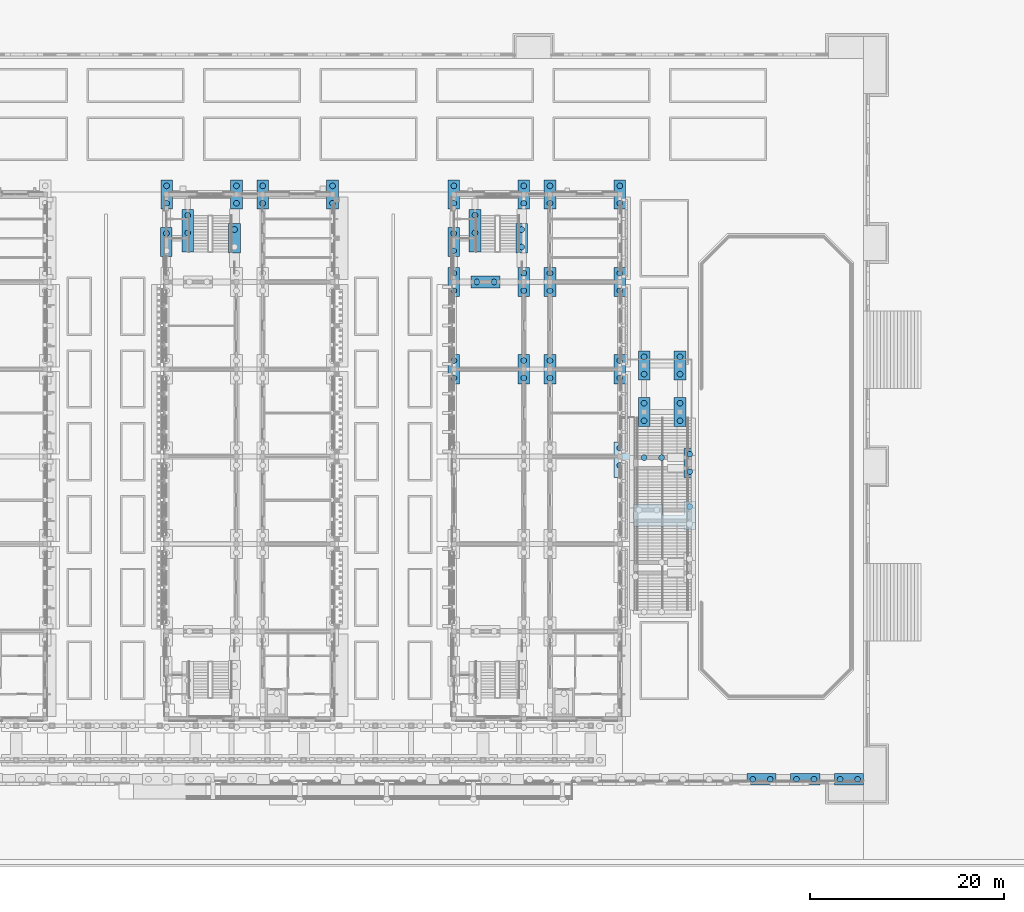
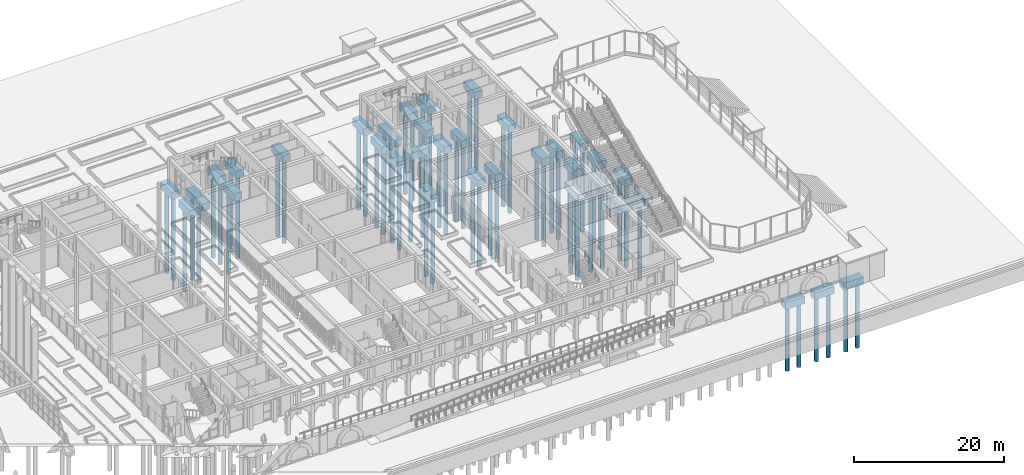
# One storey, part 6 of 161: 65 piles, 33 footings.
"""IFC4 building model written with IfcOpenShell, lengths in metres."""

from ifc_helpers import new_model, si_unit, direction, frame, origin, origin_2d, place, context, subcontext, project, spatial, polyline, rectangle, circle, outline, extrude, material, material_profile, profile_set, type_object, element, save


model = new_model("IFC4")

# Units and contexts
model_context = context("Model", 3, precision=1e-05, world=origin(), true_north=direction((0.0, 1.0)))
body_context = subcontext(model_context, "Body", "Model", "MODEL_VIEW")
ifc_project = project(units=[si_unit("LENGTHUNIT", "METRE"), si_unit("AREAUNIT", "SQUARE_METRE"), si_unit("VOLUMEUNIT", "CUBIC_METRE"), si_unit("PLANEANGLEUNIT", "RADIAN"), si_unit("MASSUNIT", "GRAM", prefix="KILO")], contexts=[model_context])

# Site, building, storey
site_placement = place(None, origin())
site = spatial("IfcSite", under=ifc_project, at=site_placement, CompositionType="ELEMENT")
building_placement = place(site_placement, origin())
building = spatial("IfcBuilding", under=site, at=building_placement, Name="Elbe Cascade School", CompositionType="ELEMENT")
storey_placement = place(building_placement, origin())
storey = spatial("IfcBuildingStorey", under=building, at=storey_placement, Name="L00", CompositionType="ELEMENT", Elevation=0.0)

# Piles
ifc_material_1 = material(Name="Concrete C35/45", Category="concrete")
ifc_material_profile = material_profile(ifc_material_1, circle(Radius=0.300048828125, at=origin_2d()), Name="RC D600")
ifc_profile_set = profile_set([ifc_material_profile], Name="Concrete C35/45")
pile_type = type_object("IfcPileType", Name="Found bored pile RC D600", PredefinedType="BORED", material=ifc_profile_set)
for number, where, z_axis, x_axis, name in (
    (1, (188.60009765625, -0.25, -4.5), (0.0, 0.0, -1.0), (1.0, 0.0, 0.0), "Pile 033-1"),
    (2, (190.39990234375, -0.25, -4.5), (0.0, 0.0, -1.0), (1.0, 0.0, 0.0), "Pile 033-2"),
    (3, (193.10009765625, -0.25, -4.5), (0.0, 0.0, -1.0), (1.0, 0.0, 0.0), "Pile 034-1"),
    (4, (194.89990234375, -0.25, -4.5), (0.0, 0.0, -1.0), (1.0, 0.0, 0.0), "Pile 034-2"),
    (5, (197.60009765625, -0.25, -4.5), (0.0, 0.0, -1.0), (1.0, 0.0, 0.0), "Pile 035-1"),
    (6, (199.39990234375, -0.25, -4.5), (0.0, 0.0, -1.0), (1.0, 0.0, 0.0), "Pile 035-2"),
):
    element("IfcPile", number, at=place(storey_placement, frame(where, z_axis=z_axis, x_axis=x_axis)), inside=storey, type_object=pile_type, Name=name, PredefinedType="BORED", context=body_context, shape_type="SweptSolid", body=[
        extrude(circle(Radius=0.300048828125, at=origin_2d()), origin(), (0.0, 0.0, 1.0), 10.5),
    ])
for number, where, z_axis, x_axis, name in (
    (7, (128.179931640625, 56.010009765625, -1.39990234375), (0.0, 0.0, -1.0), (1.0, 0.0, 0.0), "Pile 193-2"),
    (8, (128.199951171875, 59.10009765625, -1.39990234375), (0.0, 0.0, -1.0), (1.0, 0.0, 0.0), "Pile 199-1"),
    (9, (128.199951171875, 60.89990234375, -1.39990234375), (0.0, 0.0, -1.0), (1.0, 0.0, 0.0), "Pile 199-2"),
    (10, (135.199951171875, 56.39990234375, -1.39990234375), (0.0, 0.0, -1.0), (1.0, 0.0, 0.0), "Pile 203-2"),
    (11, (135.39990234375, 59.10009765625, -1.39990234375), (0.0, 0.0, -1.0), (1.0, 0.0, 0.0), "Pile 209-1"),
    (12, (135.39990234375, 60.89990234375, -1.39990234375), (0.0, 0.0, -1.0), (1.0, 0.0, 0.0), "Pile 209-2"),
    (13, (138.10009765625, 59.10009765625, -1.39990234375), (0.0, 0.0, -1.0), (1.0, 0.0, 0.0), "Pile 215-1"),
    (14, (138.10009765625, 60.89990234375, -1.39990234375), (0.0, 0.0, -1.0), (1.0, 0.0, 0.0), "Pile 215-2"),
    (15, (145.300048828125, 59.10009765625, -1.39990234375), (0.0, 0.0, -1.0), (1.0, 0.0, 0.0), "Pile 221-1"),
    (16, (145.300048828125, 60.89990234375, -1.39990234375), (0.0, 0.0, -1.0), (1.0, 0.0, 0.0), "Pile 221-2"),
    (17, (157.780029296875, 54.2099609375, -1.39990234375), (0.0, 0.0, -1.0), (1.0, 0.0, 0.0), "Pile 223-1"),
    (18, (157.780029296875, 56.010009765625, -1.39990234375), (0.0, 0.0, -1.0), (1.0, 0.0, 0.0), "Pile 223-2"),
    (19, (157.800048828125, 41.10009765625, -1.39990234375), (0.0, 0.0, -1.0), (1.0, 0.0, 0.0), "Pile 227-1"),
    (20, (157.800048828125, 42.89990234375, -1.39990234375), (0.0, 0.0, -1.0), (1.0, 0.0, 0.0), "Pile 227-2"),
    (21, (157.800048828125, 50.10009765625, -1.39990234375), (0.0, 0.0, -1.0), (1.0, 0.0, 0.0), "Pile 228-1"),
    (22, (157.800048828125, 51.89990234375, -1.39990234375), (0.0, 0.0, -1.0), (1.0, 0.0, 0.0), "Pile 228-2"),
    (23, (157.800048828125, 59.10009765625, -1.39990234375), (0.0, 0.0, -1.0), (1.0, 0.0, 0.0), "Pile 229-1"),
    (24, (157.800048828125, 60.89990234375, -1.39990234375), (0.0, 0.0, -1.0), (1.0, 0.0, 0.0), "Pile 229-2"),
    (25, (160.14990234375, 51.0, -1.39990234375), (0.0, 0.0, -1.0), (1.0, 0.0, 0.0), "Pile 231-1"),
    (26, (161.949951171875, 51.0, -1.39990234375), (0.0, 0.0, -1.0), (1.0, 0.0, 0.0), "Pile 231-2"),
    (27, (164.800048828125, 54.60009765625, -1.39990234375), (0.0, 0.0, -1.0), (1.0, 0.0, 0.0), "Pile 233-1"),
    (28, (164.800048828125, 56.39990234375, -1.39990234375), (0.0, 0.0, -1.0), (1.0, 0.0, 0.0), "Pile 233-2"),
    (29, (165.0, 41.10009765625, -1.39990234375), (0.0, 0.0, -1.0), (1.0, 0.0, 0.0), "Pile 237-1"),
    (30, (165.0, 42.89990234375, -1.39990234375), (0.0, 0.0, -1.0), (1.0, 0.0, 0.0), "Pile 237-2"),
    (31, (165.0, 50.10009765625, -1.39990234375), (0.0, 0.0, -1.0), (1.0, 0.0, 0.0), "Pile 238-1"),
    (32, (165.0, 51.89990234375, -1.39990234375), (0.0, 0.0, -1.0), (1.0, 0.0, 0.0), "Pile 238-2"),
    (33, (165.0, 59.10009765625, -1.39990234375), (0.0, 0.0, -1.0), (1.0, 0.0, 0.0), "Pile 239-1"),
    (34, (165.0, 60.89990234375, -1.39990234375), (0.0, 0.0, -1.0), (1.0, 0.0, 0.0), "Pile 239-2"),
    (35, (167.699951171875, 41.10009765625, -1.39990234375), (0.0, 0.0, -1.0), (1.0, 0.0, 0.0), "Pile 243-1"),
    (36, (167.699951171875, 42.89990234375, -1.39990234375), (0.0, 0.0, -1.0), (1.0, 0.0, 0.0), "Pile 243-2"),
    (37, (167.699951171875, 50.10009765625, -1.39990234375), (0.0, 0.0, -1.0), (1.0, 0.0, 0.0), "Pile 244-1"),
    (38, (167.699951171875, 51.89990234375, -1.39990234375), (0.0, 0.0, -1.0), (1.0, 0.0, 0.0), "Pile 244-2"),
    (39, (167.699951171875, 59.10009765625, -1.39990234375), (0.0, 0.0, -1.0), (1.0, 0.0, 0.0), "Pile 245-1"),
    (40, (167.699951171875, 60.89990234375, -1.39990234375), (0.0, 0.0, -1.0), (1.0, 0.0, 0.0), "Pile 245-2"),
    (41, (174.89990234375, 32.10009765625, -1.39990234375), (0.0, 0.0, -1.0), (1.0, 0.0, 0.0), "Pile 248-1"),
    (42, (174.89990234375, 33.89990234375, -1.39990234375), (0.0, 0.0, -1.0), (1.0, 0.0, 0.0), "Pile 248-2"),
    (43, (177.39990234375, 32.89990234375, -1.39990234375), (0.0, 0.0, -1.0), (1.0, 0.0, 0.0), "Pile 248-3"),
    (44, (179.199951171875, 32.89990234375, -1.39990234375), (0.0, 0.0, -1.0), (1.0, 0.0, 0.0), "Pile 248-4"),
    (45, (174.89990234375, 41.10009765625, -1.39990234375), (0.0, 0.0, -1.0), (1.0, 0.0, 0.0), "Pile 249-1"),
    (46, (174.89990234375, 42.89990234375, -1.39990234375), (0.0, 0.0, -1.0), (1.0, 0.0, 0.0), "Pile 249-2"),
    (47, (174.89990234375, 50.10009765625, -1.39990234375), (0.0, 0.0, -1.0), (1.0, 0.0, 0.0), "Pile 250-1"),
    (48, (174.89990234375, 51.89990234375, -1.39990234375), (0.0, 0.0, -1.0), (1.0, 0.0, 0.0), "Pile 250-2"),
    (49, (174.89990234375, 59.10009765625, -1.39990234375), (0.0, 0.0, -1.0), (1.0, 0.0, 0.0), "Pile 251-1"),
    (50, (174.89990234375, 60.89990234375, -1.39990234375), (0.0, 0.0, -1.0), (1.0, 0.0, 0.0), "Pile 251-2"),
    (51, (177.39990234375, 36.699951171875, -1.39990234375), (0.0, 0.0, -1.0), (1.0, 0.0, 0.0), "Pile 252-1"),
    (52, (177.39990234375, 38.5, -1.39990234375), (0.0, 0.0, -1.0), (1.0, 0.0, 0.0), "Pile 252-2"),
    (53, (177.39990234375, 41.5, -1.39990234375), (0.0, 0.0, -1.0), (1.0, 0.0, 0.0), "Pile 253-1"),
    (54, (177.39990234375, 43.300048828125, -1.39990234375), (0.0, 0.0, -1.0), (1.0, 0.0, 0.0), "Pile 253-2"),
    (55, (181.10009765625, 36.699951171875, -1.39990234375), (0.0, 0.0, -1.0), (1.0, 0.0, 0.0), "Pile 254-1"),
    (56, (181.10009765625, 38.5, -1.39990234375), (0.0, 0.0, -1.0), (1.0, 0.0, 0.0), "Pile 254-2"),
    (57, (181.10009765625, 41.5, -1.39990234375), (0.0, 0.0, -1.0), (1.0, 0.0, 0.0), "Pile 255-1"),
    (58, (181.10009765625, 43.300048828125, -1.39990234375), (0.0, 0.0, -1.0), (1.0, 0.0, 0.0), "Pile 255-2"),
    (59, (182.10009765625, 31.449951171875, -1.39990234375), (0.0, 0.0, -1.0), (1.0, 0.0, 0.0), "Pile 257-1"),
    (60, (182.10009765625, 33.25, -1.39990234375), (0.0, 0.0, -1.0), (1.0, 0.0, 0.0), "Pile 257-2"),
    (61, (182.10009765625, 27.85009765625, -1.39990234375), (0.0, 0.0, -1.0), (1.0, 0.0, 0.0), "Pile 297-4"),
    (62, (130.375, 56.06005859375, -1.39990234375), (0.0, 0.0, -1.0), (1.0, 0.0, 0.0), "Pile 304-1"),
    (63, (130.375, 57.860107421875, -1.39990234375), (0.0, 0.0, -1.0), (1.0, 0.0, 0.0), "Pile 304-2"),
    (64, (159.97509765625, 56.06005859375, -1.39990234375), (0.0, 0.0, -1.0), (1.0, 0.0, 0.0), "Pile 305-1"),
    (65, (159.97509765625, 57.860107421875, -1.39990234375), (0.0, 0.0, -1.0), (1.0, 0.0, 0.0), "Pile 305-2"),
):
    element("IfcPile", number, at=place(storey_placement, frame(where, z_axis=z_axis, x_axis=x_axis)), inside=storey, type_object=pile_type, Name=name, PredefinedType="BORED", context=body_context, shape_type="SweptSolid", body=[
        extrude(circle(Radius=0.300048828125, at=origin_2d()), origin(), (0.0, 0.0, 1.0), 13.60009765625),
    ])

# Footings
ifc_material_2 = material(Name="Concrete C30/37", Category="concrete")
footing_type_1 = type_object("IfcFootingType", Name="Found pile cap 2 piles 3000x1200x1200", PredefinedType="PILE_CAP", material=ifc_material_2)
for number, where, z_axis, x_axis, name in (
    (66, (189.5, -0.25, -4.60009765625), (0.0, 0.0, 1.0), (1.0, 0.0, 0.0), "Pile cap 033"),
    (67, (194.0, -0.25, -4.60009765625), (0.0, 0.0, 1.0), (1.0, 0.0, 0.0), "Pile cap 034"),
    (68, (198.5, -0.25, -4.60009765625), (0.0, 0.0, 1.0), (1.0, 0.0, 0.0), "Pile cap 035"),
):
    element("IfcFooting", number, at=place(storey_placement, frame(where, z_axis=z_axis, x_axis=x_axis)), inside=storey, type_object=footing_type_1, Name=name, PredefinedType="PILE_CAP", context=body_context, shape_type="SweptSolid", body=[
        extrude(rectangle(XDim=3.0, YDim=1.199951171875, at=origin_2d()), origin(), (0.0, 0.0, 1.0), 1.199951171875),
    ])
for number, where, z_axis, x_axis, name in (
    (69, (128.179931640625, 55.110107421875, -1.5), (0.0, 0.0, 1.0), (1.0, 0.0, 0.0), "Pile cap 193"),
    (70, (128.199951171875, 60.0, -1.5), (0.0, 0.0, 1.0), (1.0, 0.0, 0.0), "Pile cap 199"),
    (71, (135.199951171875, 55.5, -1.5), (0.0, 0.0, 1.0), (1.0, 0.0, 0.0), "Pile cap 203"),
    (72, (135.39990234375, 60.0, -1.5), (0.0, 0.0, 1.0), (1.0, 0.0, 0.0), "Pile cap 209"),
    (73, (138.10009765625, 60.0, -1.5), (0.0, 0.0, 1.0), (1.0, 0.0, 0.0), "Pile cap 215"),
    (74, (145.300048828125, 60.0, -1.5), (0.0, 0.0, 1.0), (1.0, 0.0, 0.0), "Pile cap 221"),
    (75, (157.780029296875, 55.110107421875, -1.5), (0.0, 0.0, 1.0), (1.0, 0.0, 0.0), "Pile cap 223"),
    (76, (157.800048828125, 42.0, -1.5), (0.0, 0.0, 1.0), (1.0, 0.0, 0.0), "Pile cap 227"),
    (77, (157.800048828125, 51.0, -1.5), (0.0, 0.0, 1.0), (1.0, 0.0, 0.0), "Pile cap 228"),
    (78, (157.800048828125, 60.0, -1.5), (0.0, 0.0, 1.0), (1.0, 0.0, 0.0), "Pile cap 229"),
):
    element("IfcFooting", number, at=place(storey_placement, frame(where, z_axis=z_axis, x_axis=x_axis)), inside=storey, type_object=footing_type_1, Name=name, PredefinedType="PILE_CAP", context=body_context, shape_type="SweptSolid", body=[
        extrude(rectangle(XDim=1.199951171875, YDim=3.0, at=origin_2d()), origin(), (0.0, 0.0, 1.0), 1.199951171875),
    ])
footing_1_placement = place(storey_placement, frame((161.050048828125, 51.0, -1.5), z_axis=(0.0, 0.0, 1.0), x_axis=(1.0, 0.0, 0.0)))
element("IfcFooting", 79, at=footing_1_placement, inside=storey, type_object=footing_type_1, Name="Pile cap 231", PredefinedType="PILE_CAP", context=body_context, shape_type="SweptSolid", body=[
    extrude(rectangle(XDim=3.0, YDim=1.199951171875, at=origin_2d()), origin(), (0.0, 0.0, 1.0), 1.199951171875),
])
for number, where, z_axis, x_axis, name in (
    (80, (164.800048828125, 55.5, -1.5), (0.0, 0.0, 1.0), (1.0, 0.0, 0.0), "Pile cap 233"),
    (81, (165.0, 42.0, -1.5), (0.0, 0.0, 1.0), (1.0, 0.0, 0.0), "Pile cap 237"),
    (82, (165.0, 51.0, -1.5), (0.0, 0.0, 1.0), (1.0, 0.0, 0.0), "Pile cap 238"),
    (83, (165.0, 60.0, -1.5), (0.0, 0.0, 1.0), (1.0, 0.0, 0.0), "Pile cap 239"),
    (84, (167.699951171875, 42.0, -1.5), (0.0, 0.0, 1.0), (1.0, 0.0, 0.0), "Pile cap 243"),
    (85, (167.699951171875, 51.0, -1.5), (0.0, 0.0, 1.0), (1.0, 0.0, 0.0), "Pile cap 244"),
    (86, (167.699951171875, 60.0, -1.5), (0.0, 0.0, 1.0), (1.0, 0.0, 0.0), "Pile cap 245"),
    (87, (174.89990234375, 42.0, -1.5), (0.0, 0.0, 1.0), (1.0, 0.0, 0.0), "Pile cap 249"),
    (88, (174.89990234375, 51.0, -1.5), (0.0, 0.0, 1.0), (1.0, 0.0, 0.0), "Pile cap 250"),
    (89, (174.89990234375, 60.0, -1.5), (0.0, 0.0, 1.0), (1.0, 0.0, 0.0), "Pile cap 251"),
    (90, (177.39990234375, 37.60009765625, -1.5), (0.0, 0.0, 1.0), (1.0, 0.0, 0.0), "Pile cap 252"),
    (91, (177.39990234375, 42.39990234375, -1.5), (0.0, 0.0, 1.0), (1.0, 0.0, 0.0), "Pile cap 253"),
    (92, (181.10009765625, 37.60009765625, -1.5), (0.0, 0.0, 1.0), (1.0, 0.0, 0.0), "Pile cap 254"),
    (93, (181.10009765625, 42.39990234375, -1.5), (0.0, 0.0, 1.0), (1.0, 0.0, 0.0), "Pile cap 255"),
    (94, (182.10009765625, 32.35009765625, -1.5), (0.0, 0.0, 1.0), (1.0, 0.0, 0.0), "Pile cap 257"),
):
    element("IfcFooting", number, at=place(storey_placement, frame(where, z_axis=z_axis, x_axis=x_axis)), inside=storey, type_object=footing_type_1, Name=name, PredefinedType="PILE_CAP", context=body_context, shape_type="SweptSolid", body=[
        extrude(rectangle(XDim=1.199951171875, YDim=3.0, at=origin_2d()), origin(), (0.0, 0.0, 1.0), 1.199951171875),
    ])
ifc_material_3 = material(Name="Concrete C30/37", Category="concrete")
footing_type_2 = type_object("IfcFootingType", Name="Found pile cap 2 piles 4360x1200x1200", PredefinedType="PILE_CAP", material=ifc_material_3)
for number, where, z_axis, x_axis, name in (
    (95, (130.375, 56.280029296875, -1.5), (0.0, 0.0, 1.0), (1.0, 0.0, 0.0), "Pile cap 304"),
    (96, (159.97509765625, 56.280029296875, -1.5), (0.0, 0.0, 1.0), (1.0, 0.0, 0.0), "Pile cap 305"),
):
    element("IfcFooting", number, at=place(storey_placement, frame(where, z_axis=z_axis, x_axis=x_axis)), inside=storey, type_object=footing_type_2, Name=name, PredefinedType="PILE_CAP", context=body_context, shape_type="SweptSolid", body=[
        extrude(rectangle(XDim=1.199951171875, YDim=4.360107421875, at=origin_2d()), origin(), (0.0, 0.0, 1.0), 1.199951171875),
    ])
ifc_material_4 = material(Name="Concrete C30/37", Category="concrete")
footing_type_3 = type_object("IfcFootingType", Name="Found pile cap 4 piles 5500x3650x1200", PredefinedType="PILE_CAP", material=ifc_material_4)
footing_2_placement = place(storey_placement, frame((177.050048828125, 32.675048828125, -1.5), z_axis=(0.0, 0.0, 1.0), x_axis=(1.0, 0.0, 0.0)))
element("IfcFooting", 97, at=footing_2_placement, inside=storey, type_object=footing_type_3, Name="Pile cap 248", PredefinedType="PILE_CAP", context=body_context, shape_type="SweptSolid", body=[
    extrude(rectangle(XDim=5.5, YDim=3.64990234375, at=origin_2d()), origin(), (0.0, 0.0, 1.0), 1.199951171875),
])
ifc_material_5 = material(Name="Concrete C30/37", Category="concrete")
footing_type_4 = type_object("IfcFootingType", Name="Found pile cap merged 1200", PredefinedType="PILE_CAP", material=ifc_material_5)
footing_3_placement = place(storey_placement, frame((0.0, 0.0, -1.5)))
element("IfcFooting", 98, at=footing_3_placement, inside=storey, type_object=footing_type_4, Name="Pile cap 297", PredefinedType="PILE_CAP", context=body_context, shape_type="SweptSolid", body=[
    extrude(outline(polyline([(176.300048828125, 25.800048828125), (176.300048828125, 26.89990234375), (176.300048828125, 27.0), (176.300048828125, 28.10009765625), (179.300048828125, 28.10009765625), (179.300048828125, 27.0), (181.5, 27.0), (181.5, 28.449951171875), (182.699951171875, 28.449951171875), (182.699951171875, 25.449951171875), (181.5, 25.449951171875), (181.5, 25.800048828125), (176.300048828125, 25.800048828125)])), origin(), (0.0, 0.0, 1.0), 1.199951171875),
])

save(model, "model.ifc")
